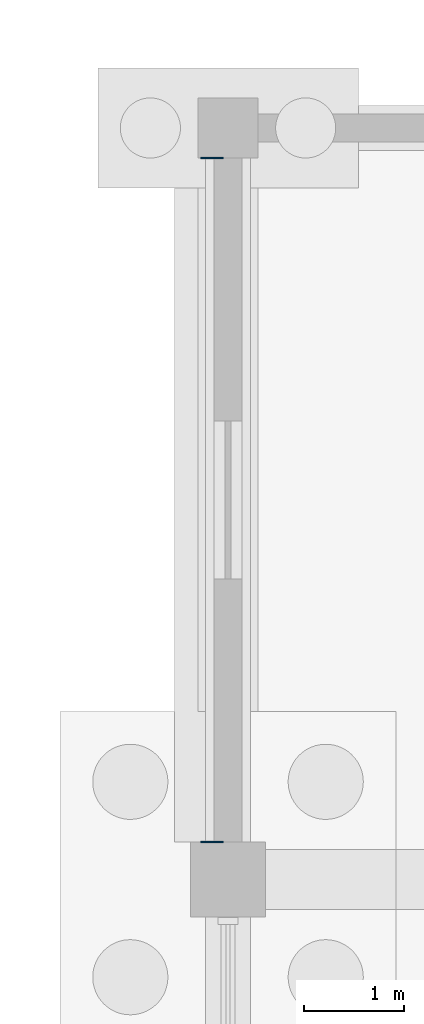
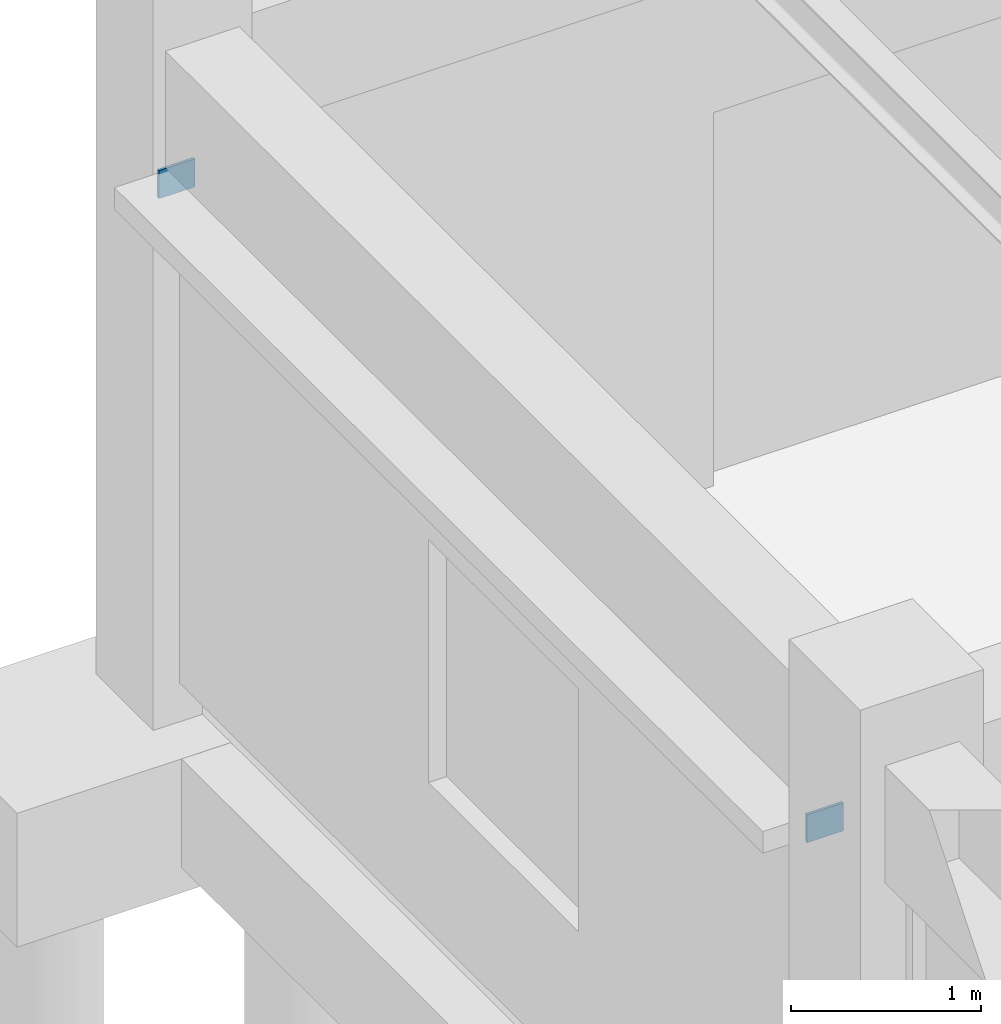
# One storey, part 56 of 93: 2 plates.
"""IFC4 building model written with IfcOpenShell, lengths in metres."""

from ifc_helpers import new_model, si_unit, direction, frame, origin, origin_2d, place, context, subcontext, project, spatial, rectangle, extrude, material, layer, layer_set, type_object, element, save


model = new_model("IFC4")

# Units and contexts
model_context = context("Model", 3, precision=1e-05, world=origin(), true_north=direction((0.0, 1.0)))
body_context = subcontext(model_context, "Body", "Model", "MODEL_VIEW")
ifc_project = project(units=[si_unit("LENGTHUNIT", "METRE"), si_unit("AREAUNIT", "SQUARE_METRE"), si_unit("VOLUMEUNIT", "CUBIC_METRE"), si_unit("PLANEANGLEUNIT", "RADIAN"), si_unit("MASSUNIT", "GRAM", prefix="KILO")], contexts=[model_context])

# Site, building, storey
site_placement = place(None, origin())
site = spatial("IfcSite", under=ifc_project, at=site_placement, CompositionType="ELEMENT")
building_placement = place(site_placement, origin())
building = spatial("IfcBuilding", under=site, at=building_placement, Name="Marnridge Secondary College", CompositionType="ELEMENT")
storey_placement = place(building_placement, origin())
storey = spatial("IfcBuildingStorey", under=building, at=storey_placement, Name="L00", CompositionType="ELEMENT", Elevation=0.0)

# Plates
ifc_material = material(Name="Structural steel plate Grade 350 (AS/NZS 3678, fy = 350 MPa <=12mm, 340 MPa 12-20mm, 330 MPa 20-50mm)", Category="steel")
ifc_layer = layer(ifc_material, 0.02392578125)
ifc_layer_set = layer_set([ifc_layer], Name="PT-GUS-GSN2")
plate_type = type_object("IfcPlateType", Name="PT-GUS-GSN2", PredefinedType="USERDEFINED", material=ifc_layer_set)
for number, where, z_axis, x_axis, name in (
    (1, (-0.159912109375, 37.875, 3.162109375), (0.0, 0.0, 1.0), (1.0, 0.0, 0.0), "Solar fin end bracket plate SFN-0023-BP1"),
    (2, (-0.159912109375, 44.699951171875, 3.162109375), (0.0, 0.0, 1.0), (1.0, 0.0, 0.0), "Solar fin end bracket plate SFN-0023-BP2"),
):
    element("IfcPlate", number, at=place(storey_placement, frame(where, z_axis=z_axis, x_axis=x_axis)), inside=storey, type_object=plate_type, Name=name, ObjectType="GUSSET PLATE", PredefinedType="USERDEFINED", context=body_context, shape_type="SweptSolid", body=[
        extrude(rectangle(XDim=0.219970703125, YDim=0.01806640625, at=origin_2d()), origin(), (0.0, 0.0, 1.0), 0.179931640625),
    ])

save(model, "model.ifc")
